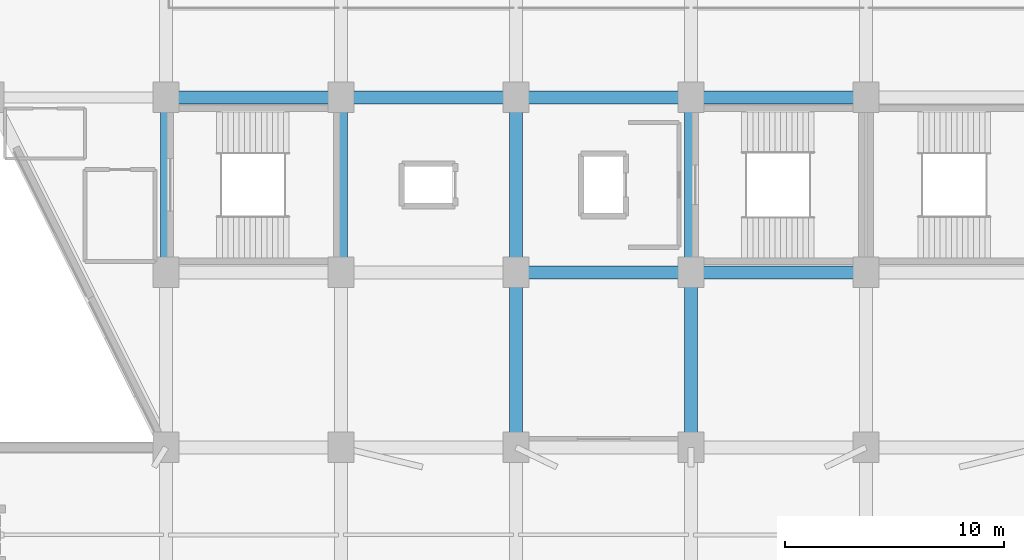
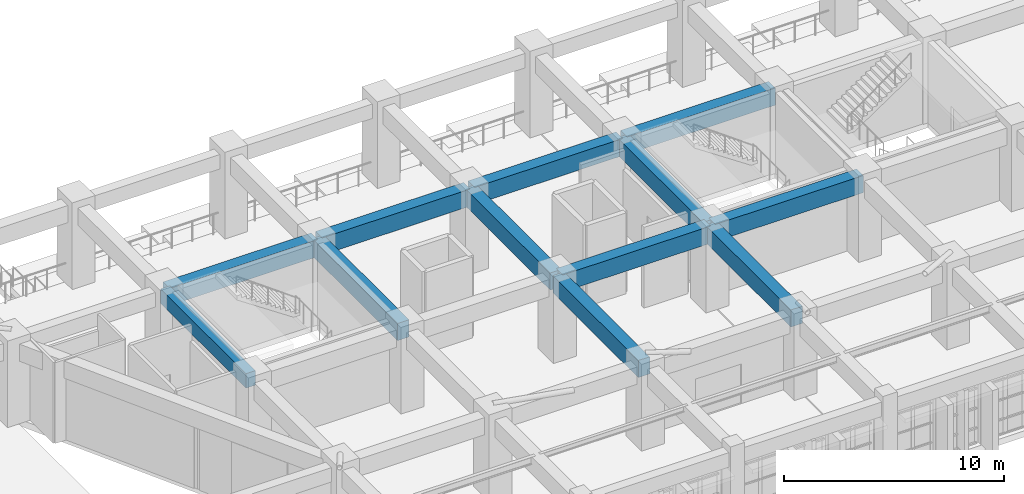
# One storey, part 19 of 155: 12 beams.
"""IFC4 building model written with IfcOpenShell, lengths in metres."""

from ifc_helpers import new_model, si_unit, direction, frame, origin, origin_2d, place, context, subcontext, project, spatial, rectangle, extrude, material, material_profile, profile_set, type_object, element, save


model = new_model("IFC4")

# Units and contexts
model_context = context("Model", 3, precision=1e-05, world=origin(), true_north=direction((0.0, 1.0)))
body_context = subcontext(model_context, "Body", "Model", "MODEL_VIEW")
ifc_project = project(units=[si_unit("LENGTHUNIT", "METRE"), si_unit("AREAUNIT", "SQUARE_METRE"), si_unit("VOLUMEUNIT", "CUBIC_METRE"), si_unit("PLANEANGLEUNIT", "RADIAN"), si_unit("MASSUNIT", "GRAM", prefix="KILO")], contexts=[model_context])

# Site, building, storey
site_placement = place(None, origin())
site = spatial("IfcSite", under=ifc_project, at=site_placement, CompositionType="ELEMENT")
building_placement = place(site_placement, origin())
building = spatial("IfcBuilding", under=site, at=building_placement, Name="Tazarka Park Arena", CompositionType="ELEMENT")
storey_placement = place(building_placement, frame((0.0, 0.0, 5.39990234375)))
storey = spatial("IfcBuildingStorey", under=building, at=storey_placement, Name="L01", CompositionType="ELEMENT", Elevation=5.39990234375)

# Beams
ifc_material_1 = material(Name="Concrete C40/50", Category="concrete")
ifc_material_profile_1 = material_profile(ifc_material_1, rectangle(XDim=0.60009765625, YDim=0.949951171875, at=origin_2d()), Name="Concrete C40/50")
ifc_profile_set_1 = profile_set([ifc_material_profile_1], Name="Concrete C40/50")
beam_type_1 = type_object("IfcBeamType", Name="BM-B-03", PredefinedType="BEAM", material=ifc_profile_set_1)
for number, where, z_axis, x_axis, name in (
    (1, (64.1201171875, 32.0, 3.945068359375), (1.0, 0.0, 0.0), (0.0, 1.0, 0.0), "GXM-L01-08-04"),
    (2, (72.0, 24.1201171875, 3.945068359375), (0.0, 1.0, 0.0), (-1.0, 0.0, 0.0), "GYM-L01-09-03"),
    (3, (72.1201171875, 32.0, 3.945068359375), (1.0, 0.0, 0.0), (0.0, 1.0, 0.0), "GXM-L01-09-04"),
    (4, (80.0, 16.1201171875, 3.945068359375), (0.0, 1.0, 0.0), (-1.0, 0.0, 0.0), "GYM-L01-10-02"),
    (5, (80.1201171875, 24.0, 3.945068359375), (1.0, 0.0, 0.0), (0.0, 1.0, 0.0), "GXM-L01-10-03"),
    (6, (80.0, 24.1201171875, 3.945068359375), (0.0, 1.0, 0.0), (-1.0, 0.0, 0.0), "GYM-L01-10-03"),
    (7, (80.1201171875, 32.0, 3.945068359375), (1.0, 0.0, 0.0), (0.0, 1.0, 0.0), "GXM-L01-10-04"),
    (8, (88.0, 16.1201171875, 3.945068359375), (0.0, 1.0, 0.0), (-1.0, 0.0, 0.0), "GYM-L01-11-02"),
    (9, (88.1201171875, 24.0, 3.945068359375), (1.0, 0.0, 0.0), (0.0, 1.0, 0.0), "GXM-L01-11-03"),
    (10, (88.0, 24.1201171875, 3.945068359375), (0.0, 1.0, 0.0), (-1.0, 0.0, 0.0), "GYM-L01-11-03"),
    (11, (88.1201171875, 32.0, 3.945068359375), (1.0, 0.0, 0.0), (0.0, 1.0, 0.0), "GXM-L01-11-04"),
):
    element("IfcBeam", number, at=place(storey_placement, frame(where, z_axis=z_axis, x_axis=x_axis)), inside=storey, type_object=beam_type_1, Name=name, PredefinedType="BEAM", context=body_context, shape_type="SweptSolid", body=[
        extrude(rectangle(XDim=0.60009765625, YDim=0.949951171875, at=origin_2d()), origin(), (0.0, 0.0, 1.0), 7.759765625),
    ])
ifc_material_2 = material(Name="Concrete C40/50", Category="concrete")
ifc_material_profile_2 = material_profile(ifc_material_2, rectangle(XDim=0.5, YDim=0.800048828125, at=origin_2d()), Name="Concrete C40/50")
ifc_profile_set_2 = profile_set([ifc_material_profile_2], Name="Concrete C40/50")
beam_type_2 = type_object("IfcBeamType", Name="BM-SP-01", PredefinedType="SPANDREL", material=ifc_profile_set_2)
beam_placement = place(storey_placement, frame((64.0, 24.1201171875, 4.02001953125), z_axis=(0.0, 1.0, 0.0), x_axis=(-1.0, 0.0, 0.0)))
element("IfcBeam", 12, at=beam_placement, inside=storey, type_object=beam_type_2, Name="GYM-L01-08-03", PredefinedType="SPANDREL", context=body_context, shape_type="SweptSolid", body=[
    extrude(rectangle(XDim=0.5, YDim=0.800048828125, at=origin_2d()), origin(), (0.0, 0.0, 1.0), 7.759765625),
])

save(model, "model.ifc")
